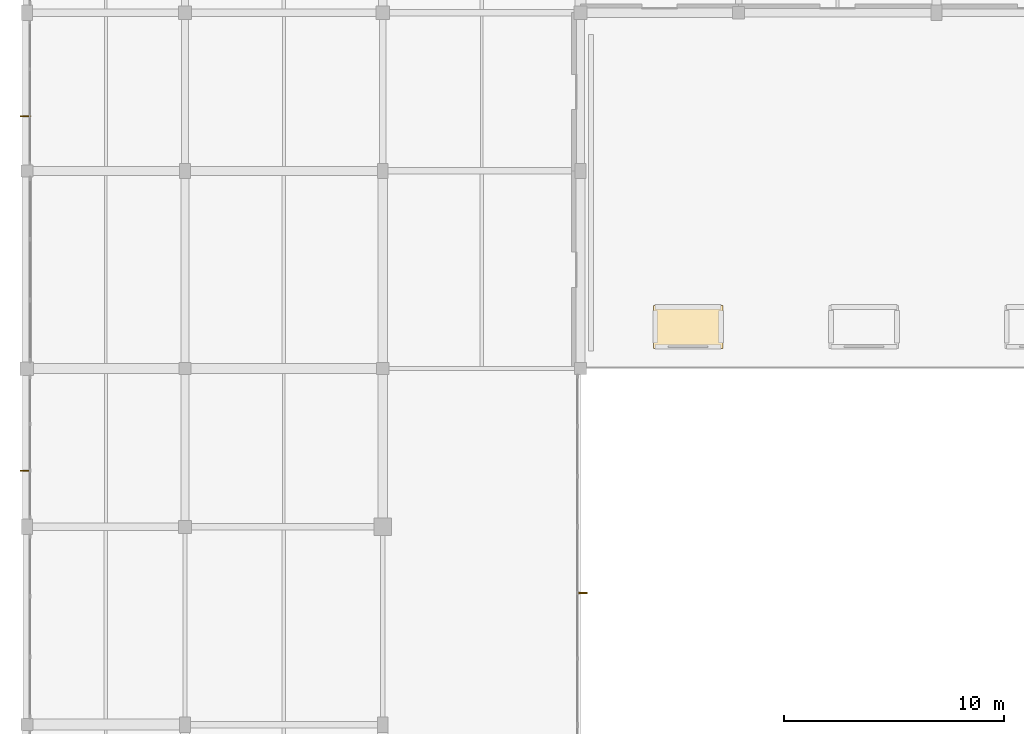
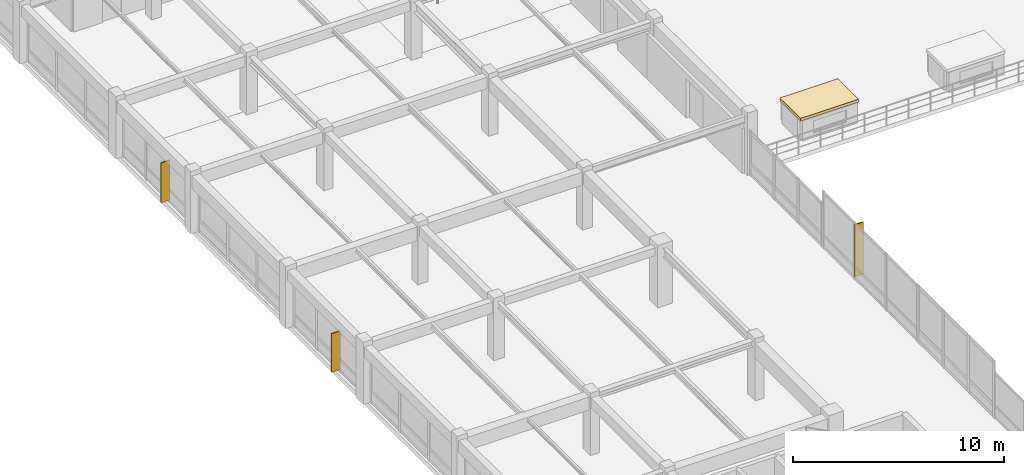
# One storey, part 62 of 74: 3 shading devices, 1 covering.
"""IFC4 building model written with IfcOpenShell, lengths in metres."""

from ifc_helpers import new_model, si_unit, direction, frame, frame_2d, origin, place, context, subcontext, project, spatial, polyline, rectangle, outline, extrude, material, layer, layer_set, type_object, element, save


model = new_model("IFC4")

# Units and contexts
model_context = context("Model", 3, precision=1e-05, world=origin(), true_north=direction((0.0, 1.0)))
body_context = subcontext(model_context, "Body", "Model", "MODEL_VIEW")
ifc_project = project(units=[si_unit("LENGTHUNIT", "METRE"), si_unit("AREAUNIT", "SQUARE_METRE"), si_unit("VOLUMEUNIT", "CUBIC_METRE"), si_unit("PLANEANGLEUNIT", "RADIAN"), si_unit("MASSUNIT", "GRAM", prefix="KILO")], contexts=[model_context])

# Site, building, storey
site_placement = place(None, origin())
site = spatial("IfcSite", under=ifc_project, at=site_placement, CompositionType="ELEMENT")
building_placement = place(site_placement, origin())
building = spatial("IfcBuilding", under=site, at=building_placement, Name="Clarverna Civic Hall", CompositionType="ELEMENT")
storey_placement = place(building_placement, frame((0.0, 0.0, 9.60009765625)))
storey = spatial("IfcBuildingStorey", under=building, at=storey_placement, Name="L02", CompositionType="ELEMENT", Elevation=9.60009765625)

# Covering
ifc_material_1 = material(Name="EPDM Waterproofing Membrane and PIR Roof Insulation")
ifc_layer_1 = layer(ifc_material_1, 0.1201171875)
ifc_layer_set_1 = layer_set([ifc_layer_1], Name="EPDM Waterproofing Membrane and PIR Roof Insulation")
covering_type = type_object("IfcCoveringType", Name="CV-RF2", PredefinedType="ROOFING", material=ifc_layer_set_1)
covering_placement = place(storey_placement, frame((0.0, 0.0, 1.159912109375)))
element("IfcCovering", 1, at=covering_placement, inside=storey, type_object=covering_type, Name="CV-RF2-004", PredefinedType="ROOFING", context=body_context, shape_type="SweptSolid", body=[
    extrude(outline(polyline([(28.52001953125, 47.320068359375), (31.679931640625, 47.320068359375), (31.679931640625, 49.280029296875), (28.52001953125, 49.280029296875), (28.52001953125, 47.320068359375)])), origin(), (0.0, 0.0, 1.0), 0.159912109375),
])

# Shading devices
ifc_material_2 = material(Name="Anodised Bronze Architectural Solar Fin", Category="aluminium")
ifc_layer_2 = layer(ifc_material_2, 0.054931640625)
ifc_layer_set_2 = layer_set([ifc_layer_2], Name="Anodised Bronze Architectural Solar Fin")
shading_device_type = type_object("IfcShadingDeviceType", Name="SD-FN1", PredefinedType="USERDEFINED", material=ifc_layer_set_2)
shading_device_1_placement = place(storey_placement, frame((0.169921875, 41.7578125, 0.14990234375), z_axis=(0.0, 0.0, 1.0), x_axis=(-1.0, 0.0, 0.0)))
element("IfcShadingDevice", 2, at=shading_device_1_placement, inside=storey, type_object=shading_device_type, Name="SD-FN1-010", ObjectType="FIN", PredefinedType="USERDEFINED", context=body_context, shape_type="SweptSolid", body=[
    extrude(rectangle(XDim=0.47998046875, YDim=0.054931640625, at=frame_2d((0.239990234375, 0.0))), origin(), (0.0, 0.0, 1.0), 2.219970703125),
])
shading_device_2_placement = place(storey_placement, frame((0.169921875, 57.89111328125, 0.14990234375), z_axis=(0.0, 0.0, 1.0), x_axis=(-1.0, 0.0, 0.0)))
element("IfcShadingDevice", 3, at=shading_device_2_placement, inside=storey, type_object=shading_device_type, Name="SD-FN1-011", ObjectType="FIN", PredefinedType="USERDEFINED", context=body_context, shape_type="SweptSolid", body=[
    extrude(rectangle(XDim=0.47998046875, YDim=0.054931640625, at=frame_2d((0.239990234375, 0.0))), origin(), (0.0, 0.0, 1.0), 2.300048828125),
])
shading_device_3_placement = place(storey_placement, frame((25.030029296875, 36.18896484375, 0.14990234375), z_axis=(0.0, 0.0, 1.0), x_axis=(1.0, 0.0, 0.0)))
element("IfcShadingDevice", 4, at=shading_device_3_placement, inside=storey, type_object=shading_device_type, Name="SD-FN1-027", ObjectType="FIN", PredefinedType="USERDEFINED", context=body_context, shape_type="SweptSolid", body=[
    extrude(rectangle(XDim=0.47998046875, YDim=0.054931640625, at=frame_2d((0.239990234375, 0.0))), origin(), (0.0, 0.0, 1.0), 3.02001953125),
])

save(model, "model.ifc")
